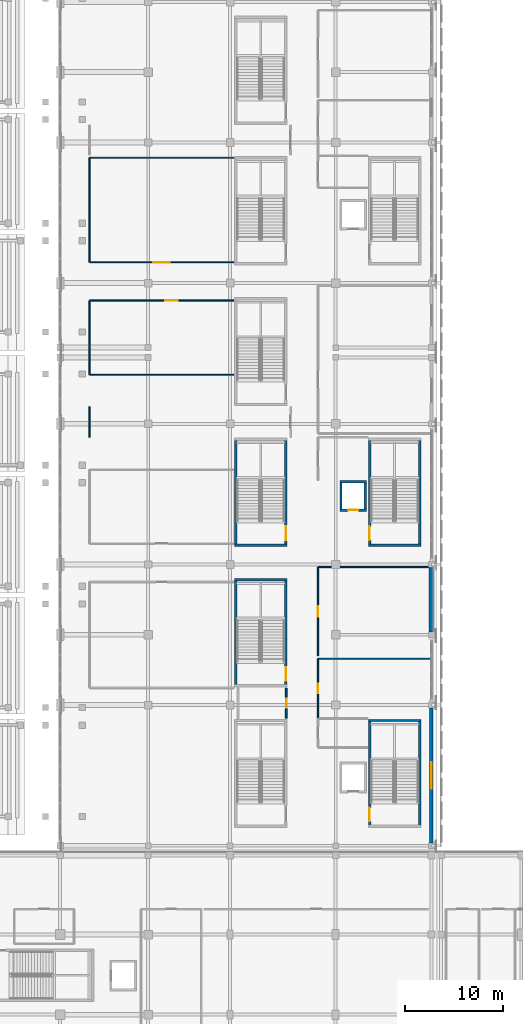
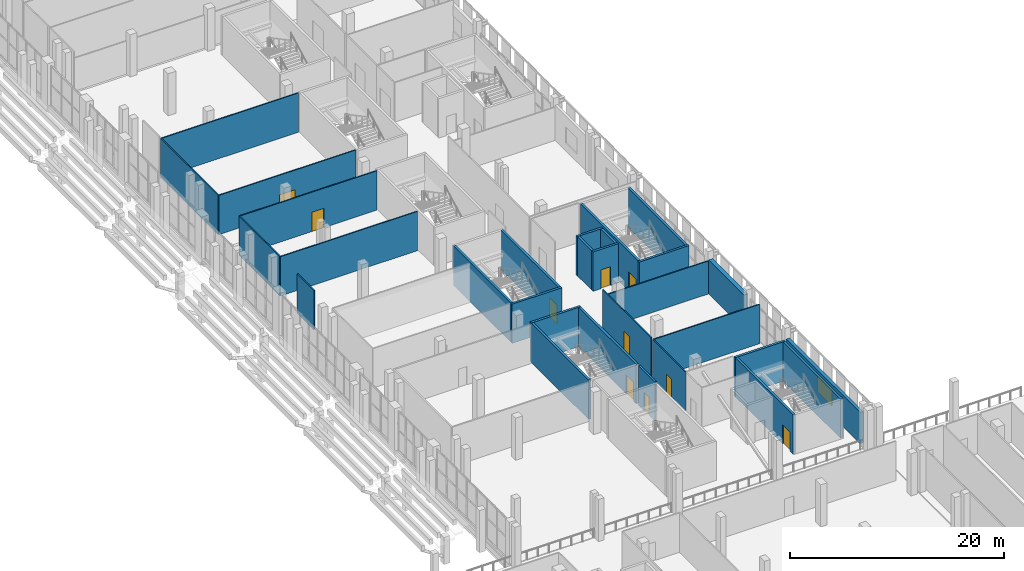
# One storey, part 98 of 142: 30 walls, 10 doors, 1 window, 11 openings.
"""IFC4 building model written with IfcOpenShell, lengths in metres."""

from ifc_helpers import new_model, si_unit, direction, frame, frame_2d, origin, place, context, subcontext, project, spatial, rectangle, extrude, material, layer, layer_set, type_object, element, fill, save


model = new_model("IFC4")

# Units and contexts
model_context = context("Model", 3, precision=1e-05, world=origin(), true_north=direction((0.0, 1.0)))
body_context = subcontext(model_context, "Body", "Model", "MODEL_VIEW")
ifc_project = project(units=[si_unit("LENGTHUNIT", "METRE"), si_unit("AREAUNIT", "SQUARE_METRE"), si_unit("VOLUMEUNIT", "CUBIC_METRE"), si_unit("PLANEANGLEUNIT", "RADIAN"), si_unit("MASSUNIT", "GRAM", prefix="KILO")], contexts=[model_context])

# Site, building, storey
site_placement = place(None, origin())
site = spatial("IfcSite", under=ifc_project, at=site_placement, CompositionType="ELEMENT")
building_placement = place(site_placement, origin())
building = spatial("IfcBuilding", under=site, at=building_placement, Name="Koshinbarg Plaza Stadium", CompositionType="ELEMENT")
storey_placement = place(building_placement, frame((0.0, 0.0, 10.199951171875)))
storey = spatial("IfcBuildingStorey", under=building, at=storey_placement, Name="L02", CompositionType="ELEMENT", Elevation=10.199951171875)

# Wall
ifc_material_1 = material(Name="Concrete C40/50", Category="concrete")
ifc_layer_1 = layer(ifc_material_1, 0.25)
ifc_layer_set_1 = layer_set([ifc_layer_1], Name="Concrete C40/50")
wall_type_1 = type_object("IfcWallType", Name="WL-CORE-250", PredefinedType="SHEAR", material=ifc_layer_set_1)
wall_1_placement = place(storey_placement, frame((217.320068359375, 38.324951171875, 0.0), z_axis=(0.0, 0.0, 1.0), x_axis=(-1.0, 0.0, 0.0)))
element("IfcWall", 1, at=wall_1_placement, inside=storey, type_object=wall_type_1, Name="L02 core stair shear wall C07-far IWL-L02-0171", PredefinedType="SHEAR", context=body_context, shape_type="SweptSolid", body=[
    extrude(rectangle(XDim=5.3701171875, YDim=0.25, at=frame_2d((2.68505859375, 0.0))), origin(), (0.0, 0.0, 1.0), 4.47998046875),
])

# Wall, opening, door
wall_2_placement = place(storey_placement, frame((212.074951171875, 27.47509765625, 0.0), z_axis=(0.0, 0.0, 1.0), x_axis=(0.0, 1.0, 0.0)))
wall_2 = element("IfcWall", 2, at=wall_2_placement, inside=storey, type_object=wall_type_1, Name="L02 core stair shear wall C07-left IWL-L02-0172", PredefinedType="SHEAR", context=body_context, shape_type="SweptSolid", body=[
    extrude(rectangle(XDim=10.849853515625, YDim=0.25, at=frame_2d((5.4248046875, 0.0))), origin(), (0.0, 0.0, 1.0), 4.47998046875),
])
opening_1_placement = place(wall_2_placement, frame((0.52001953125, 0.0, 0.0)))
opening_1 = element("IfcOpeningElement", 3, at=opening_1_placement, cuts=wall_2, Name="Opening D-0105", PredefinedType="OPENING", context=body_context, shape_type="SweptSolid", body=[
    extrude(rectangle(XDim=1.39990234375, YDim=2.14990234375, at=frame_2d((0.699951171875, 1.074951171875))), frame((0.0, 0.135009765625, 0.0), z_axis=(0.0, -1.0, 0.0), x_axis=(1.0, 0.0, 0.0)), (0.0, 0.0, 1.0), 0.27001953125),
])
ifc_material_2 = material(Name="Painted galvanized steel fire door", Category="steel")
door_type_1 = type_object("IfcDoorType", Name="DR-STAIR-1400", OperationType="NOTDEFINED", PredefinedType="DOOR", material=ifc_material_2)
door_1_placement = place(opening_1_placement, frame((1.39990234375, 0.0, 0.0), z_axis=(0.0, 0.0, 1.0), x_axis=(-1.0, 0.0, 0.0)))
door_1 = element("IfcDoor", 4, at=door_1_placement, inside=storey, type_object=door_type_1, Name="L02 exit stair door C07", OperationType="SINGLE_SWING_RIGHT", OverallHeight=2.14990234375, OverallWidth=1.39990234375, PredefinedType="DOOR", context=body_context, shape_type="SweptSolid", body=[
    extrude(rectangle(XDim=1.39990234375, YDim=2.14990234375, at=frame_2d((0.699951171875, 1.074951171875))), frame((0.0, 0.02490234375, 0.0), z_axis=(0.0, -1.0, 0.0), x_axis=(1.0, 0.0, 0.0)), (0.0, 0.0, 1.0), 0.050048828125),
])
fill(opening_1, door_1)

# Walls
wall_3_placement = place(storey_placement, frame((217.195068359375, 27.47509765625, 0.0), z_axis=(0.0, 0.0, 1.0), x_axis=(0.0, 1.0, 0.0)))
element("IfcWall", 5, at=wall_3_placement, inside=storey, type_object=wall_type_1, Name="L02 core stair shear wall C07-right IWL-L02-0173", PredefinedType="SHEAR", context=body_context, shape_type="SweptSolid", body=[
    extrude(rectangle(XDim=10.849853515625, YDim=0.25, at=frame_2d((5.4248046875, 0.0))), origin(), (0.0, 0.0, 1.0), 4.47998046875),
])
wall_4_placement = place(storey_placement, frame((211.949951171875, 56.27490234375, 0.0), z_axis=(0.0, 0.0, 1.0), x_axis=(1.0, 0.0, 0.0)))
element("IfcWall", 6, at=wall_4_placement, inside=storey, type_object=wall_type_1, Name="L02 core stair shear wall C08-near IWL-L02-0194", PredefinedType="SHEAR", context=body_context, shape_type="SweptSolid", body=[
    extrude(rectangle(XDim=5.3701171875, YDim=0.25, at=frame_2d((2.68505859375, 0.0))), origin(), (0.0, 0.0, 1.0), 4.47998046875),
])

# Wall, opening, door
wall_5_placement = place(storey_placement, frame((212.074951171875, 56.27490234375, 0.0), z_axis=(0.0, 0.0, 1.0), x_axis=(0.0, 1.0, 0.0)))
wall_5 = element("IfcWall", 7, at=wall_5_placement, inside=storey, type_object=wall_type_1, Name="L02 core stair shear wall C08-left IWL-L02-0196", PredefinedType="SHEAR", context=body_context, shape_type="SweptSolid", body=[
    extrude(rectangle(XDim=10.85009765625, YDim=0.25, at=frame_2d((5.425048828125, 0.0))), origin(), (0.0, 0.0, 1.0), 4.47998046875),
])
opening_2_placement = place(wall_5_placement, frame((0.52001953125, 0.0, 0.0)))
opening_2 = element("IfcOpeningElement", 8, at=opening_2_placement, cuts=wall_5, Name="Opening D-0111", PredefinedType="OPENING", context=body_context, shape_type="SweptSolid", body=[
    extrude(rectangle(XDim=1.39990234375, YDim=2.14990234375, at=frame_2d((0.699951171875, 1.074951171875))), frame((0.0, 0.135009765625, 0.0), z_axis=(0.0, -1.0, 0.0), x_axis=(1.0, 0.0, 0.0)), (0.0, 0.0, 1.0), 0.27001953125),
])
door_2_placement = place(opening_2_placement, frame((1.39990234375, 0.0, 0.0), z_axis=(0.0, 0.0, 1.0), x_axis=(-1.0, 0.0, 0.0)))
door_2 = element("IfcDoor", 9, at=door_2_placement, inside=storey, type_object=door_type_1, Name="L02 exit stair door C08", OperationType="SINGLE_SWING_LEFT", OverallHeight=2.14990234375, OverallWidth=1.39990234375, PredefinedType="DOOR", context=body_context, shape_type="SweptSolid", body=[
    extrude(rectangle(XDim=1.39990234375, YDim=2.14990234375, at=frame_2d((0.699951171875, 1.074951171875))), frame((0.0, 0.02490234375, 0.0), z_axis=(0.0, -1.0, 0.0), x_axis=(1.0, 0.0, 0.0)), (0.0, 0.0, 1.0), 0.050048828125),
])
fill(opening_2, door_2)

# Walls
wall_6_placement = place(storey_placement, frame((217.195068359375, 56.27490234375, 0.0), z_axis=(0.0, 0.0, 1.0), x_axis=(0.0, 1.0, 0.0)))
element("IfcWall", 10, at=wall_6_placement, inside=storey, type_object=wall_type_1, Name="L02 core stair shear wall C08-right IWL-L02-0197", PredefinedType="SHEAR", context=body_context, shape_type="SweptSolid", body=[
    extrude(rectangle(XDim=10.85009765625, YDim=0.25, at=frame_2d((5.425048828125, 0.0))), origin(), (0.0, 0.0, 1.0), 4.47998046875),
])
wall_7_placement = place(storey_placement, frame((203.6201171875, 52.72509765625, 0.0), z_axis=(0.0, 0.0, 1.0), x_axis=(-1.0, 0.0, 0.0)))
element("IfcWall", 11, at=wall_7_placement, inside=storey, type_object=wall_type_1, Name="L02 vomitory stair shear wall VX08-far IWL-L02-0475", PredefinedType="SHEAR", context=body_context, shape_type="SweptSolid", body=[
    extrude(rectangle(XDim=5.3701171875, YDim=0.25, at=frame_2d((2.68505859375, 0.0))), origin(), (0.0, 0.0, 1.0), 4.47998046875),
])
wall_8_placement = place(storey_placement, frame((198.375, 41.875, 0.0), z_axis=(0.0, 0.0, 1.0), x_axis=(0.0, 1.0, 0.0)))
element("IfcWall", 12, at=wall_8_placement, inside=storey, type_object=wall_type_1, Name="L02 vomitory stair shear wall VX08-left IWL-L02-0476", PredefinedType="SHEAR", context=body_context, shape_type="SweptSolid", body=[
    extrude(rectangle(XDim=10.85009765625, YDim=0.25, at=frame_2d((5.425048828125, 0.0))), origin(), (0.0, 0.0, 1.0), 4.47998046875),
])

# Wall, opening, door
wall_9_placement = place(storey_placement, frame((203.4951171875, 41.875, 0.0), z_axis=(0.0, 0.0, 1.0), x_axis=(0.0, 1.0, 0.0)))
wall_9 = element("IfcWall", 13, at=wall_9_placement, inside=storey, type_object=wall_type_1, Name="L02 vomitory stair shear wall VX08-right IWL-L02-0477", PredefinedType="SHEAR", context=body_context, shape_type="SweptSolid", body=[
    extrude(rectangle(XDim=10.85009765625, YDim=0.25, at=frame_2d((5.425048828125, 0.0))), origin(), (0.0, 0.0, 1.0), 4.47998046875),
])
opening_3_placement = place(wall_9_placement, frame((0.52001953125, 0.0, 0.0)))
opening_3 = element("IfcOpeningElement", 14, at=opening_3_placement, cuts=wall_9, Name="Opening D-0181", PredefinedType="OPENING", context=body_context, shape_type="SweptSolid", body=[
    extrude(rectangle(XDim=1.39990234375, YDim=2.14990234375, at=frame_2d((0.699951171875, 1.074951171875))), frame((0.0, 0.135009765625, 0.0), z_axis=(0.0, -1.0, 0.0), x_axis=(1.0, 0.0, 0.0)), (0.0, 0.0, 1.0), 0.27001953125),
])
door_3_placement = place(opening_3_placement, origin())
door_3 = element("IfcDoor", 15, at=door_3_placement, inside=storey, type_object=door_type_1, Name="L02 vomitory exit stair door VX08", OperationType="SINGLE_SWING_LEFT", OverallHeight=2.14990234375, OverallWidth=1.39990234375, PredefinedType="DOOR", context=body_context, shape_type="SweptSolid", body=[
    extrude(rectangle(XDim=1.39990234375, YDim=2.14990234375, at=frame_2d((0.699951171875, 1.074951171875))), frame((0.0, 0.02490234375, 0.0), z_axis=(0.0, -1.0, 0.0), x_axis=(1.0, 0.0, 0.0)), (0.0, 0.0, 1.0), 0.050048828125),
])
fill(opening_3, door_3)

# Walls
wall_10_placement = place(storey_placement, frame((198.25, 56.27490234375, 0.0), z_axis=(0.0, 0.0, 1.0), x_axis=(1.0, 0.0, 0.0)))
element("IfcWall", 16, at=wall_10_placement, inside=storey, type_object=wall_type_1, Name="L02 vomitory stair shear wall VX09-near IWL-L02-0490", PredefinedType="SHEAR", context=body_context, shape_type="SweptSolid", body=[
    extrude(rectangle(XDim=5.3701171875, YDim=0.25, at=frame_2d((2.68505859375, 0.0))), origin(), (0.0, 0.0, 1.0), 4.47998046875),
])
wall_11_placement = place(storey_placement, frame((198.375, 56.27490234375, 0.0), z_axis=(0.0, 0.0, 1.0), x_axis=(0.0, 1.0, 0.0)))
element("IfcWall", 17, at=wall_11_placement, inside=storey, type_object=wall_type_1, Name="L02 vomitory stair shear wall VX09-left IWL-L02-0492", PredefinedType="SHEAR", context=body_context, shape_type="SweptSolid", body=[
    extrude(rectangle(XDim=10.85009765625, YDim=0.25, at=frame_2d((5.425048828125, 0.0))), origin(), (0.0, 0.0, 1.0), 4.47998046875),
])

# Wall, opening, door
wall_12_placement = place(storey_placement, frame((203.4951171875, 56.27490234375, 0.0), z_axis=(0.0, 0.0, 1.0), x_axis=(0.0, 1.0, 0.0)))
wall_12 = element("IfcWall", 18, at=wall_12_placement, inside=storey, type_object=wall_type_1, Name="L02 vomitory stair shear wall VX09-right IWL-L02-0493", PredefinedType="SHEAR", context=body_context, shape_type="SweptSolid", body=[
    extrude(rectangle(XDim=10.85009765625, YDim=0.25, at=frame_2d((5.425048828125, 0.0))), origin(), (0.0, 0.0, 1.0), 4.47998046875),
])
opening_4_placement = place(wall_12_placement, frame((0.52001953125, 0.0, 0.0)))
opening_4 = element("IfcOpeningElement", 19, at=opening_4_placement, cuts=wall_12, Name="Opening D-0185", PredefinedType="OPENING", context=body_context, shape_type="SweptSolid", body=[
    extrude(rectangle(XDim=1.39990234375, YDim=2.14990234375, at=frame_2d((0.699951171875, 1.074951171875))), frame((0.0, 0.135009765625, 0.0), z_axis=(0.0, -1.0, 0.0), x_axis=(1.0, 0.0, 0.0)), (0.0, 0.0, 1.0), 0.27001953125),
])
door_4_placement = place(opening_4_placement, origin())
door_4 = element("IfcDoor", 20, at=door_4_placement, inside=storey, type_object=door_type_1, Name="L02 vomitory exit stair door VX09", OperationType="SINGLE_SWING_RIGHT", OverallHeight=2.14990234375, OverallWidth=1.39990234375, PredefinedType="DOOR", context=body_context, shape_type="SweptSolid", body=[
    extrude(rectangle(XDim=1.39990234375, YDim=2.14990234375, at=frame_2d((0.699951171875, 1.074951171875))), frame((0.0, 0.02490234375, 0.0), z_axis=(0.0, -1.0, 0.0), x_axis=(1.0, 0.0, 0.0)), (0.0, 0.0, 1.0), 0.050048828125),
])
fill(opening_4, door_4)

wall_13_placement = place(storey_placement, frame((209.02490234375, 59.85009765625, 0.0), z_axis=(0.0, 0.0, 1.0), x_axis=(1.0, 0.0, 0.0)))
wall_13 = element("IfcWall", 21, at=wall_13_placement, inside=storey, type_object=wall_type_1, Name="L02 lift shaft shear wall LP04-S IWL-L02-0894", PredefinedType="SHEAR", context=body_context, shape_type="SweptSolid", body=[
    extrude(rectangle(XDim=2.75, YDim=0.25, at=frame_2d((1.375, 0.0))), origin(), (0.0, 0.0, 1.0), 4.47998046875),
])
opening_5_placement = place(wall_13_placement, frame((0.85009765625, 0.0, 0.0)))
opening_5 = element("IfcOpeningElement", 22, at=opening_5_placement, cuts=wall_13, Name="Opening D-0293", PredefinedType="OPENING", context=body_context, shape_type="SweptSolid", body=[
    extrude(rectangle(XDim=1.050048828125, YDim=2.14990234375, at=frame_2d((0.52490234375, 1.074951171875))), frame((0.0, 0.135009765625, 0.0), z_axis=(0.0, -1.0, 0.0), x_axis=(1.0, 0.0, 0.0)), (0.0, 0.0, 1.0), 0.27001953125),
])
ifc_material_3 = material(Name="Brushed stainless steel sliding lift landing door", Category="steel")
door_type_2 = type_object("IfcDoorType", Name="DR-LIFT-1050", OperationType="NOTDEFINED", PredefinedType="DOOR", material=ifc_material_3)
door_5_placement = place(opening_5_placement, origin())
door_5 = element("IfcDoor", 23, at=door_5_placement, inside=storey, type_object=door_type_2, Name="L02 lift landing door LP04", OperationType="SLIDING_TO_LEFT", OverallHeight=2.14990234375, OverallWidth=1.050048828125, PredefinedType="DOOR", context=body_context, shape_type="SweptSolid", body=[
    extrude(rectangle(XDim=1.050048828125, YDim=2.14990234375, at=frame_2d((0.52490234375, 1.074951171875))), frame((0.0, 0.02490234375, 0.0), z_axis=(0.0, -1.0, 0.0), x_axis=(1.0, 0.0, 0.0)), (0.0, 0.0, 1.0), 0.050048828125),
])
fill(opening_5, door_5)

# Walls
wall_14_placement = place(storey_placement, frame((211.77490234375, 62.75, 0.0), z_axis=(0.0, 0.0, 1.0), x_axis=(-1.0, 0.0, 0.0)))
element("IfcWall", 24, at=wall_14_placement, inside=storey, type_object=wall_type_1, Name="L02 lift shaft shear wall LP04-N IWL-L02-0895", PredefinedType="SHEAR", context=body_context, shape_type="SweptSolid", body=[
    extrude(rectangle(XDim=2.75, YDim=0.25, at=frame_2d((1.375, 0.0))), origin(), (0.0, 0.0, 1.0), 4.47998046875),
])
for number, where, z_axis, x_axis, name in (
    (25, (209.14990234375, 62.75, 0.0), (0.0, 0.0, 1.0), (0.0, -1.0, 0.0), "L02 lift shaft shear wall LP04-W IWL-L02-0896"),
    (26, (211.64990234375, 59.85009765625, 0.0), (0.0, 0.0, 1.0), (0.0, 1.0, 0.0), "L02 lift shaft shear wall LP04-E IWL-L02-0897"),
):
    element("IfcWall", number, at=place(storey_placement, frame(where, z_axis=z_axis, x_axis=x_axis)), inside=storey, type_object=wall_type_1, Name=name, PredefinedType="SHEAR", context=body_context, shape_type="SweptSolid", body=[
        extrude(rectangle(XDim=2.89990234375, YDim=0.25, at=frame_2d((1.449951171875, 0.0))), origin(), (0.0, 0.0, 1.0), 4.47998046875),
    ])

# Wall, opening, window
ifc_material_4 = material(Name="Acoustic insulated masonry stadium wall", Category="masonry")
ifc_layer_2 = layer(ifc_material_4, 0.35009765625)
ifc_layer_set_2 = layer_set([ifc_layer_2], Name="Acoustic insulated masonry stadium wall")
wall_type_2 = type_object("IfcWallType", Name="WL-EXT-350", PredefinedType="SOLIDWALL", material=ifc_layer_set_2)
wall_15_placement = place(storey_placement, frame((218.39990234375, 39.60498046875, 0.0), z_axis=(0.0, 0.0, 1.0), x_axis=(0.0, -1.0, 0.0)))
wall_15 = element("IfcWall", 27, at=wall_15_placement, inside=storey, type_object=wall_type_2, Name="L02 exterior envelope wall EWL-L02-0131", PredefinedType="SOLIDWALL", context=body_context, shape_type="SweptSolid", body=[
    extrude(rectangle(XDim=13.81005859375, YDim=0.35009765625, at=frame_2d((6.905029296875, 0.0))), origin(), (0.0, 0.0, 1.0), 3.56005859375),
])
opening_6_placement = place(wall_15_placement, frame((5.554931640625, 0.0, 0.89990234375)))
opening_6 = element("IfcOpeningElement", 28, at=opening_6_placement, cuts=wall_15, Name="Opening WN12", PredefinedType="OPENING", context=body_context, shape_type="SweptSolid", body=[
    extrude(rectangle(XDim=2.699951171875, YDim=1.800048828125, at=frame_2d((1.35009765625, 0.89990234375))), frame((0.0, 0.18505859375, 0.0), z_axis=(0.0, -1.0, 0.0), x_axis=(1.0, 0.0, 0.0)), (0.0, 0.0, 1.0), 0.3701171875),
])
ifc_material_5 = material(Name="Solar-control double glazing in thermally broken aluminium frame", Category="aluminium")
window_type = type_object("IfcWindowType", Name="WN-FAC-12", PartitioningType="DOUBLE_PANEL_VERTICAL", PredefinedType="WINDOW", material=ifc_material_5)
window_placement = place(opening_6_placement, origin())
window = element("IfcWindow", 29, at=window_placement, inside=storey, type_object=window_type, Name="L02 facade window 0067", OverallHeight=1.800048828125, OverallWidth=2.699951171875, PartitioningType="SINGLE_PANEL", PredefinedType="WINDOW", context=body_context, shape_type="SweptSolid", body=[
    extrude(rectangle(XDim=2.699951171875, YDim=1.800048828125, at=frame_2d((1.35009765625, 0.89990234375))), frame((0.0, 0.030029296875, 0.0), z_axis=(0.0, -1.0, 0.0), x_axis=(1.0, 0.0, 0.0)), (0.0, 0.0, 1.0), 0.06005859375),
])
fill(opening_6, window)

# Wall
ifc_material_6 = material(Name="Gypsum board metal-stud acoustic partition")
ifc_layer_3 = layer(ifc_material_6, 0.1201171875)
ifc_layer_set_3 = layer_set([ifc_layer_3], Name="Gypsum board metal-stud acoustic partition")
wall_type_3 = type_object("IfcWallType", Name="WL-PART-120", PredefinedType="PARTITIONING", material=ifc_layer_set_3)
wall_16_placement = place(storey_placement, frame((218.2548828125, 44.646484375, 0.0), z_axis=(0.0, 0.0, 1.0), x_axis=(-1.0, 0.0, 0.0)))
element("IfcWall", 30, at=wall_16_placement, inside=storey, type_object=wall_type_3, Name="L02 interior partition L02-86-north IWL-L02-1696", PredefinedType="PARTITIONING", context=body_context, shape_type="SweptSolid", body=[
    extrude(rectangle(XDim=11.454833984375, YDim=0.1201171875, at=frame_2d((5.7275390625, 0.0))), origin(), (0.0, 0.0, 1.0), 4.47998046875),
])

# Wall, opening, door
wall_17_placement = place(storey_placement, frame((206.800048828125, 44.646484375, 0.0), z_axis=(0.0, 0.0, 1.0), x_axis=(0.0, -1.0, 0.0)))
wall_17 = element("IfcWall", 31, at=wall_17_placement, inside=storey, type_object=wall_type_3, Name="L02 interior partition L02-86-west IWL-L02-1697", PredefinedType="PARTITIONING", context=body_context, shape_type="SweptSolid", body=[
    extrude(rectangle(XDim=6.116455078125, YDim=0.1201171875, at=frame_2d((3.05810546875, 0.0))), origin(), (0.0, 0.0, 1.0), 4.47998046875),
])
opening_7_placement = place(wall_17_placement, frame((2.578369140625, 0.0, 0.0)))
opening_7 = element("IfcOpeningElement", 32, at=opening_7_placement, cuts=wall_17, Name="Opening D-0573", PredefinedType="OPENING", context=body_context, shape_type="SweptSolid", body=[
    extrude(rectangle(XDim=0.9599609375, YDim=2.10009765625, at=frame_2d((0.47998046875, 1.050048828125))), frame((0.0, 0.070068359375, 0.0), z_axis=(0.0, -1.0, 0.0), x_axis=(1.0, 0.0, 0.0)), (0.0, 0.0, 1.0), 0.14013671875),
])
ifc_material_7 = material(Name="Solid-core oak veneer acoustic door")
door_type_3 = type_object("IfcDoorType", Name="DR-INT-0960x2100", OperationType="NOTDEFINED", PredefinedType="DOOR", material=ifc_material_7)
door_6_placement = place(opening_7_placement, origin())
door_6 = element("IfcDoor", 33, at=door_6_placement, inside=storey, type_object=door_type_3, Name="L02 Supporters' Banquet Lounge door D-0573", OperationType="SINGLE_SWING_LEFT", OverallHeight=2.10009765625, OverallWidth=0.9599609375, PredefinedType="DOOR", context=body_context, shape_type="SweptSolid", body=[
    extrude(rectangle(XDim=0.9599609375, YDim=2.10009765625, at=frame_2d((0.47998046875, 1.050048828125))), frame((0.0, 0.02490234375, 0.0), z_axis=(0.0, -1.0, 0.0), x_axis=(1.0, 0.0, 0.0)), (0.0, 0.0, 1.0), 0.050048828125),
])
fill(opening_7, door_6)

# Wall
wall_18_placement = place(storey_placement, frame((218.2548828125, 54.030029296875, 0.0), z_axis=(0.0, 0.0, 1.0), x_axis=(-1.0, 0.0, 0.0)))
element("IfcWall", 34, at=wall_18_placement, inside=storey, type_object=wall_type_3, Name="L02 interior partition L02-88-north IWL-L02-1701", PredefinedType="PARTITIONING", context=body_context, shape_type="SweptSolid", body=[
    extrude(rectangle(XDim=11.454833984375, YDim=0.1201171875, at=frame_2d((5.7275390625, 0.0))), origin(), (0.0, 0.0, 1.0), 3.760009765625),
])

# Wall, opening, door
wall_19_placement = place(storey_placement, frame((206.800048828125, 54.030029296875, 0.0), z_axis=(0.0, 0.0, 1.0), x_axis=(0.0, -1.0, 0.0)))
wall_19 = element("IfcWall", 35, at=wall_19_placement, inside=storey, type_object=wall_type_3, Name="L02 interior partition L02-88-west IWL-L02-1702", PredefinedType="PARTITIONING", context=body_context, shape_type="SweptSolid", body=[
    extrude(rectangle(XDim=9.08349609375, YDim=0.1201171875, at=frame_2d((4.541748046875, 0.0))), origin(), (0.0, 0.0, 1.0), 4.47998046875),
])
opening_8_placement = place(wall_19_placement, frame((4.016845703125, 0.0, 0.0)))
opening_8 = element("IfcOpeningElement", 36, at=opening_8_placement, cuts=wall_19, Name="Opening D-0575", PredefinedType="OPENING", context=body_context, shape_type="SweptSolid", body=[
    extrude(rectangle(XDim=1.050048828125, YDim=2.14990234375, at=frame_2d((0.52490234375, 1.074951171875))), frame((0.0, 0.070068359375, 0.0), z_axis=(0.0, -1.0, 0.0), x_axis=(1.0, 0.0, 0.0)), (0.0, 0.0, 1.0), 0.14013671875),
])
ifc_material_8 = material(Name="Solid-core oak suite entrance door")
door_type_4 = type_object("IfcDoorType", Name="DR-INT-1050x2150", OperationType="NOTDEFINED", PredefinedType="DOOR", material=ifc_material_8)
door_7_placement = place(opening_8_placement, origin())
door_7 = element("IfcDoor", 37, at=door_7_placement, inside=storey, type_object=door_type_4, Name="L02 East Catering Kitchen door D-0575", OperationType="SINGLE_SWING_LEFT", OverallHeight=2.14990234375, OverallWidth=1.050048828125, PredefinedType="DOOR", context=body_context, shape_type="SweptSolid", body=[
    extrude(rectangle(XDim=1.050048828125, YDim=2.14990234375, at=frame_2d((0.52490234375, 1.074951171875))), frame((0.0, 0.02490234375, 0.0), z_axis=(0.0, -1.0, 0.0), x_axis=(1.0, 0.0, 0.0)), (0.0, 0.0, 1.0), 0.050048828125),
])
fill(opening_8, door_7)

# Walls
wall_20_placement = place(storey_placement, frame((183.39990234375, 70.469970703125, 0.0), z_axis=(0.0, 0.0, 1.0), x_axis=(0.0, -1.0, 0.0)))
element("IfcWall", 38, at=wall_20_placement, inside=storey, type_object=wall_type_3, Name="L02 interior partition L02-90-west IWL-L02-1707", PredefinedType="PARTITIONING", context=body_context, shape_type="SweptSolid", body=[
    extrude(rectangle(XDim=3.139892578125, YDim=0.1201171875, at=frame_2d((1.56982421875, 0.0))), origin(), (0.0, 0.0, 1.0), 4.47998046875),
])
wall_21_placement = place(storey_placement, frame((183.39990234375, 73.705078125, 0.0), z_axis=(0.0, 0.0, 1.0), x_axis=(1.0, 0.0, 0.0)))
element("IfcWall", 39, at=wall_21_placement, inside=storey, type_object=wall_type_3, Name="L02 interior partition L02-91-south IWL-L02-1708", PredefinedType="PARTITIONING", context=body_context, shape_type="SweptSolid", body=[
    extrude(rectangle(XDim=14.77001953125, YDim=0.1201171875, at=frame_2d((7.385009765625, 0.0))), origin(), (0.0, 0.0, 1.0), 4.47998046875),
])

# Wall, opening, door
wall_22_placement = place(storey_placement, frame((198.169921875, 81.320068359375, 0.0), z_axis=(0.0, 0.0, 1.0), x_axis=(-1.0, 0.0, 0.0)))
wall_22 = element("IfcWall", 40, at=wall_22_placement, inside=storey, type_object=wall_type_3, Name="L02 interior partition L02-91-north IWL-L02-1709", PredefinedType="PARTITIONING", context=body_context, shape_type="SweptSolid", body=[
    extrude(rectangle(XDim=14.77001953125, YDim=0.1201171875, at=frame_2d((7.385009765625, 0.0))), origin(), (0.0, 0.0, 1.0), 4.47998046875),
])
opening_9_placement = place(wall_22_placement, frame((5.71337890625, 0.0, 0.0)))
opening_9 = element("IfcOpeningElement", 41, at=opening_9_placement, cuts=wall_22, Name="Opening D-0578", PredefinedType="OPENING", context=body_context, shape_type="SweptSolid", body=[
    extrude(rectangle(XDim=1.300048828125, YDim=2.199951171875, at=frame_2d((0.64990234375, 1.10009765625))), frame((0.0, 0.070068359375, 0.0), z_axis=(0.0, -1.0, 0.0), x_axis=(1.0, 0.0, 0.0)), (0.0, 0.0, 1.0), 0.14013671875),
])
ifc_material_9 = material(Name="Thermally broken anodised aluminium glazed door", Category="aluminium")
door_type_5 = type_object("IfcDoorType", Name="DR-INT-1300x2200", OperationType="NOTDEFINED", PredefinedType="DOOR", material=ifc_material_9)
door_8_placement = place(opening_9_placement, origin())
door_8 = element("IfcDoor", 42, at=door_8_placement, inside=storey, type_object=door_type_5, Name="L02 East Club Concourse door D-0578", OperationType="SINGLE_SWING_RIGHT", OverallHeight=2.199951171875, OverallWidth=1.300048828125, PredefinedType="DOOR", context=body_context, shape_type="SweptSolid", body=[
    extrude(rectangle(XDim=1.300048828125, YDim=2.199951171875, at=frame_2d((0.64990234375, 1.10009765625))), frame((0.0, 0.02490234375, 0.0), z_axis=(0.0, -1.0, 0.0), x_axis=(1.0, 0.0, 0.0)), (0.0, 0.0, 1.0), 0.050048828125),
])
fill(opening_9, door_8)

# Wall
wall_23_placement = place(storey_placement, frame((183.39990234375, 81.320068359375, 0.0), z_axis=(0.0, 0.0, 1.0), x_axis=(0.0, -1.0, 0.0)))
element("IfcWall", 43, at=wall_23_placement, inside=storey, type_object=wall_type_3, Name="L02 interior partition L02-91-west IWL-L02-1710", PredefinedType="PARTITIONING", context=body_context, shape_type="SweptSolid", body=[
    extrude(rectangle(XDim=7.614990234375, YDim=0.1201171875, at=frame_2d((3.8076171875, 0.0))), origin(), (0.0, 0.0, 1.0), 4.47998046875),
])

# Wall, opening, door
wall_24_placement = place(storey_placement, frame((183.39990234375, 85.22998046875, 0.0), z_axis=(0.0, 0.0, 1.0), x_axis=(1.0, 0.0, 0.0)))
wall_24 = element("IfcWall", 44, at=wall_24_placement, inside=storey, type_object=wall_type_3, Name="L02 interior partition L02-94-south IWL-L02-1716", PredefinedType="PARTITIONING", context=body_context, shape_type="SweptSolid", body=[
    extrude(rectangle(XDim=14.77001953125, YDim=0.1201171875, at=frame_2d((7.385009765625, 0.0))), origin(), (0.0, 0.0, 1.0), 4.47998046875),
])
opening_10_placement = place(wall_24_placement, frame((6.544921875, 0.0, 0.0)))
opening_10 = element("IfcOpeningElement", 45, at=opening_10_placement, cuts=wall_24, Name="Opening D-0581", PredefinedType="OPENING", context=body_context, shape_type="SweptSolid", body=[
    extrude(rectangle(XDim=1.679931640625, YDim=2.25, at=frame_2d((0.83984375, 1.125))), frame((0.0, 0.070068359375, 0.0), z_axis=(0.0, -1.0, 0.0), x_axis=(1.0, 0.0, 0.0)), (0.0, 0.0, 1.0), 0.14013671875),
])
ifc_material_10 = material(Name="Powder-coated aluminium double glazed door", Category="aluminium")
door_type_6 = type_object("IfcDoorType", Name="DR-INT-1680x2250", OperationType="NOTDEFINED", PredefinedType="DOOR", material=ifc_material_10)
door_9_placement = place(opening_10_placement, origin())
door_9 = element("IfcDoor", 46, at=door_9_placement, inside=storey, type_object=door_type_6, Name="L02 East Club Concourse door D-0581", OperationType="DOUBLE_DOOR_SINGLE_SWING", OverallHeight=2.25, OverallWidth=1.679931640625, PredefinedType="DOOR", context=body_context, shape_type="SweptSolid", body=[
    extrude(rectangle(XDim=1.679931640625, YDim=2.25, at=frame_2d((0.83984375, 1.125))), frame((0.0, 0.02490234375, 0.0), z_axis=(0.0, -1.0, 0.0), x_axis=(1.0, 0.0, 0.0)), (0.0, 0.0, 1.0), 0.050048828125),
])
fill(opening_10, door_9)

# Walls
wall_25_placement = place(storey_placement, frame((198.169921875, 95.94091796875, 0.0), z_axis=(0.0, 0.0, 1.0), x_axis=(-1.0, 0.0, 0.0)))
element("IfcWall", 47, at=wall_25_placement, inside=storey, type_object=wall_type_3, Name="L02 interior partition L02-94-north IWL-L02-1717", PredefinedType="PARTITIONING", context=body_context, shape_type="SweptSolid", body=[
    extrude(rectangle(XDim=14.77001953125, YDim=0.1201171875, at=frame_2d((7.385009765625, 0.0))), origin(), (0.0, 0.0, 1.0), 4.47998046875),
])
wall_26_placement = place(storey_placement, frame((183.39990234375, 95.94091796875, 0.0), z_axis=(0.0, 0.0, 1.0), x_axis=(0.0, -1.0, 0.0)))
element("IfcWall", 48, at=wall_26_placement, inside=storey, type_object=wall_type_3, Name="L02 interior partition L02-94-west IWL-L02-1718", PredefinedType="PARTITIONING", context=body_context, shape_type="SweptSolid", body=[
    extrude(rectangle(XDim=10.7109375, YDim=0.1201171875, at=frame_2d((5.35546875, 0.0))), origin(), (0.0, 0.0, 1.0), 4.47998046875),
])

# Wall, opening, door
ifc_material_11 = material(Name="Moisture-resistant tiled sanitary partition")
ifc_layer_4 = layer(ifc_material_11, 0.179931640625)
ifc_layer_set_4 = layer_set([ifc_layer_4], Name="Moisture-resistant tiled sanitary partition")
wall_type_4 = type_object("IfcWallType", Name="WL-PART-180", PredefinedType="PARTITIONING", material=ifc_layer_set_4)
wall_27_placement = place(storey_placement, frame((203.550048828125, 38.530029296875, 0.0), z_axis=(0.0, 0.0, 1.0), x_axis=(0.0, 1.0, 0.0)))
wall_27 = element("IfcWall", 49, at=wall_27_placement, inside=storey, type_object=wall_type_4, Name="L02 interior partition L02-59-east IWL-L02-1624", PredefinedType="PARTITIONING", context=body_context, shape_type="SweptSolid", body=[
    extrude(rectangle(XDim=3.070068359375, YDim=0.179931640625, at=frame_2d((1.53515625, 0.0))), origin(), (0.0, 0.0, 1.0), 4.47998046875),
])
opening_11_placement = place(wall_27_placement, frame((1.074951171875, 0.0, 0.0)))
opening_11 = element("IfcOpeningElement", 50, at=opening_11_placement, cuts=wall_27, Name="Opening D-0546", PredefinedType="OPENING", context=body_context, shape_type="SweptSolid", body=[
    extrude(rectangle(XDim=0.919921875, YDim=2.10009765625, at=frame_2d((0.4599609375, 1.050048828125))), frame((0.0, 0.099853515625, 0.0), z_axis=(0.0, -1.0, 0.0), x_axis=(1.0, 0.0, 0.0)), (0.0, 0.0, 1.0), 0.199951171875),
])
door_type_7 = type_object("IfcDoorType", Name="DR-INT-0920x2100", OperationType="NOTDEFINED", PredefinedType="DOOR", material=ifc_material_7)
door_10_placement = place(opening_11_placement, origin())
door_10 = element("IfcDoor", 51, at=door_10_placement, inside=storey, type_object=door_type_7, Name="L02 Public Restroom 2 door D-0546", OperationType="SINGLE_SWING_RIGHT", OverallHeight=2.10009765625, OverallWidth=0.919921875, PredefinedType="DOOR", context=body_context, shape_type="SweptSolid", body=[
    extrude(rectangle(XDim=0.919921875, YDim=2.10009765625, at=frame_2d((0.4599609375, 1.050048828125))), frame((0.0, 0.02490234375, 0.0), z_axis=(0.0, -1.0, 0.0), x_axis=(1.0, 0.0, 0.0)), (0.0, 0.0, 1.0), 0.050048828125),
])
fill(opening_11, door_10)

# Wall
ifc_layer_5 = layer(ifc_material_1, 0.449951171875)
ifc_layer_set_5 = layer_set([ifc_layer_5], Name="Concrete C40/50")
wall_type_5 = type_object("IfcWallType", Name="WL-PYLON-450", PredefinedType="SHEAR", material=ifc_layer_set_5)
wall_28_placement = place(storey_placement, frame((218.39990234375, 54.0048828125, 0.0), z_axis=(0.0, 0.0, 1.0), x_axis=(0.0, -1.0, 0.0)))
element("IfcWall", 52, at=wall_28_placement, inside=storey, type_object=wall_type_5, Name="L02 exterior shear pylon wall EWL-L02-0130", PredefinedType="SHEAR", context=body_context, shape_type="SweptSolid", body=[
    extrude(rectangle(XDim=6.60986328125, YDim=0.449951171875, at=frame_2d((3.304931640625, 0.0))), origin(), (0.0, 0.0, 1.0), 3.860107421875),
])

save(model, "model.ifc")
